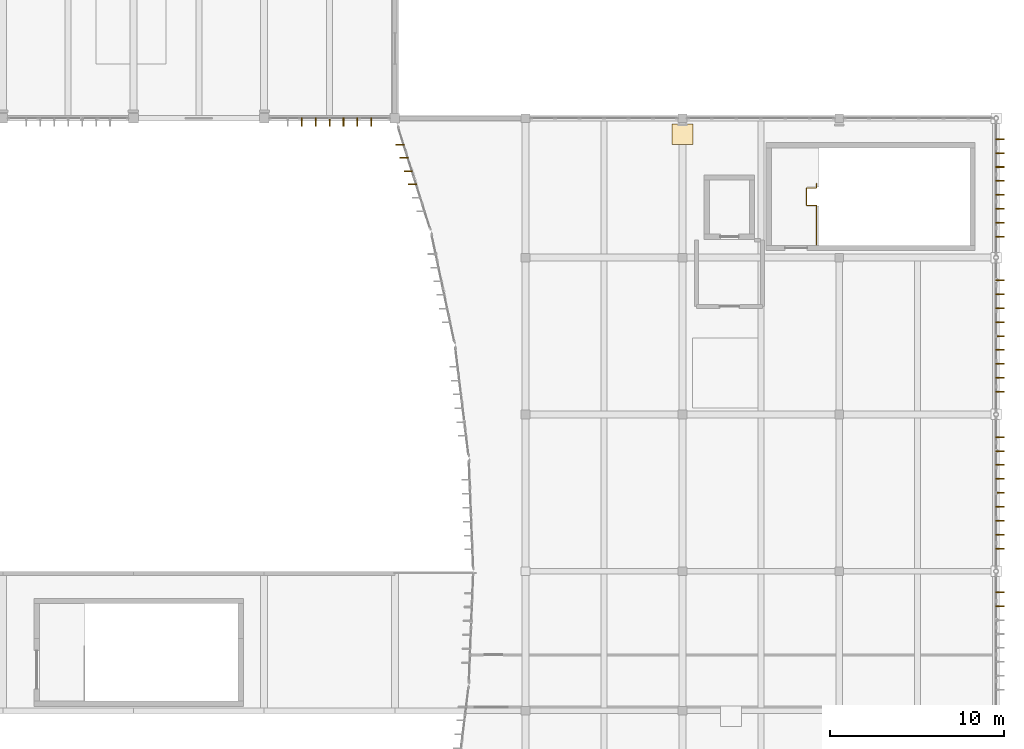
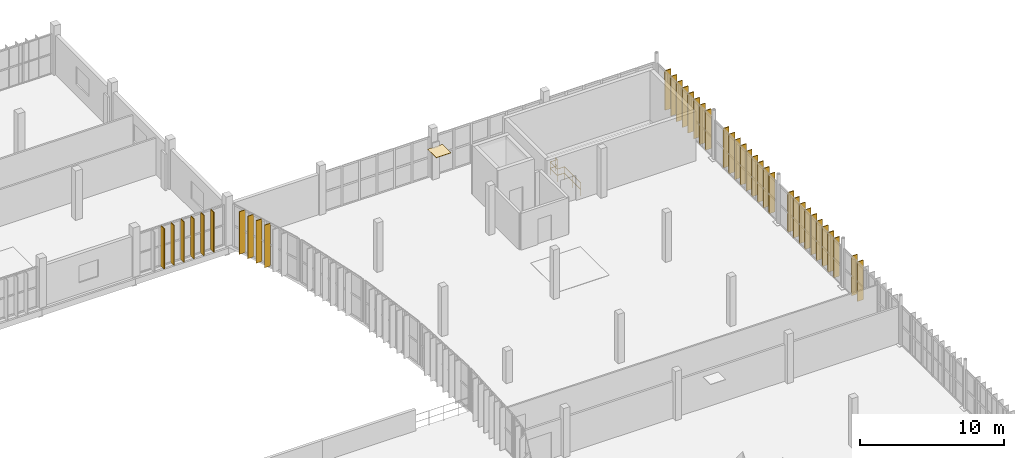
# One storey, part 60 of 61: 38 shading devices, 1 covering, 1 railing.
"""IFC4 building model written with IfcOpenShell, lengths in metres."""

from ifc_helpers import new_model, si_unit, direction, frame, origin, origin_2d, place, context, subcontext, project, spatial, rectangle, circle, extrude, material, layer, layer_set, material_profile, profile_set, type_object, element, save


model = new_model("IFC4")

# Units and contexts
model_context = context("Model", 3, precision=1e-05, world=origin(), true_north=direction((0.0, 1.0)))
body_context = subcontext(model_context, "Body", "Model", "MODEL_VIEW")
ifc_project = project(units=[si_unit("LENGTHUNIT", "METRE"), si_unit("AREAUNIT", "SQUARE_METRE"), si_unit("VOLUMEUNIT", "CUBIC_METRE"), si_unit("PLANEANGLEUNIT", "RADIAN"), si_unit("MASSUNIT", "GRAM", prefix="KILO")], contexts=[model_context])

# Site, building, storey
site_placement = place(None, origin())
site = spatial("IfcSite", under=ifc_project, at=site_placement, CompositionType="ELEMENT")
building_placement = place(site_placement, origin())
building = spatial("IfcBuilding", under=site, at=building_placement, Name="Vourika Railside Aquatics Centre", CompositionType="ELEMENT")
storey_placement = place(building_placement, frame((0.0, 0.0, 9.300048828125)))
storey = spatial("IfcBuildingStorey", under=building, at=storey_placement, Name="L02", CompositionType="ELEMENT", Elevation=9.300048828125)

# Covering
ifc_material_1 = material(Name="Perforated moisture-resistant acoustic gypsum ceiling")
ifc_layer = layer(ifc_material_1, 0.02490234375, Name="COV-CEIL-25")
ifc_layer_set = layer_set([ifc_layer], Name="Perforated moisture-resistant acoustic gypsum ceiling")
covering_type = type_object("IfcCoveringType", Name="COV-CEIL-25", PredefinedType="CEILING", material=ifc_layer_set)
covering_placement = place(storey_placement, frame((150.0, 91.080078125, 2.637451171875), z_axis=(0.0, 0.0, 1.0), x_axis=(1.0, 0.0, 0.0)))
element("IfcCovering", 1, at=covering_placement, inside=storey, type_object=covering_type, Name="Cameroon Aquatics Federation Operations Suite Acoustic Ceiling Panel", PredefinedType="CEILING", context=body_context, shape_type="SweptSolid", body=[
    extrude(rectangle(XDim=1.199951171875, YDim=1.199951171875, at=origin_2d()), origin(), (0.0, 0.0, 1.0), 0.02490234375),
])

# Railing
ifc_material_2 = material(Name="Duplex stainless steel EN 1.4462", Category="steel")
railing_type = type_object("IfcRailingType", Name="RL-STAIR-1120", PredefinedType="BALUSTRADE", material=ifc_material_2)
railing_placement = place(storey_placement, frame((157.699951171875, 84.719970703125, 0.0)))
element("IfcRailing", 2, at=railing_placement, inside=storey, type_object=railing_type, Name="Protected Exit Stair Core ST05 Well Edge Guard (L02)", PredefinedType="BALUSTRADE", context=body_context, shape_type="SweptSolid", body=[
    extrude(circle(Radius=0.02392578125, at=origin_2d()), frame((0.0, 0.0, 1.09619140625), z_axis=(0.0, 1.0, 0.0), x_axis=(-1.0, 0.0, 0.0)), (0.0, 0.0, 1.0), 2.280029296875),
    extrude(circle(Radius=0.02392578125, at=origin_2d()), frame((0.0, 0.0, 0.56005859375), z_axis=(0.0, 1.0, 0.0), x_axis=(-1.0, 0.0, 0.0)), (0.0, 0.0, 1.0), 2.280029296875),
    extrude(circle(Radius=0.02392578125, at=origin_2d()), frame((0.0, 2.280029296875, 1.09619140625), z_axis=(-1.0, 0.0, 0.0), x_axis=(0.0, -1.0, 0.0)), (0.0, 0.0, 1.0), 0.570068359375),
    extrude(circle(Radius=0.02392578125, at=origin_2d()), frame((0.0, 2.280029296875, 0.56005859375), z_axis=(-1.0, 0.0, 0.0), x_axis=(0.0, -1.0, 0.0)), (0.0, 0.0, 1.0), 0.570068359375),
    extrude(circle(Radius=0.02392578125, at=origin_2d()), frame((-0.570068359375, 2.280029296875, 1.09619140625), z_axis=(0.0, 1.0, 0.0), x_axis=(-1.0, 0.0, 0.0)), (0.0, 0.0, 1.0), 1.0),
    extrude(circle(Radius=0.02392578125, at=origin_2d()), frame((-0.570068359375, 2.280029296875, 0.56005859375), z_axis=(0.0, 1.0, 0.0), x_axis=(-1.0, 0.0, 0.0)), (0.0, 0.0, 1.0), 1.0),
    extrude(circle(Radius=0.02392578125, at=origin_2d()), frame((-0.570068359375, 3.280029296875, 1.09619140625), z_axis=(1.0, 0.0, 0.0), x_axis=(0.0, 1.0, 0.0)), (0.0, 0.0, 1.0), 0.570068359375),
    extrude(circle(Radius=0.02392578125, at=origin_2d()), frame((-0.570068359375, 3.280029296875, 0.56005859375), z_axis=(1.0, 0.0, 0.0), x_axis=(0.0, 1.0, 0.0)), (0.0, 0.0, 1.0), 0.570068359375),
    extrude(circle(Radius=0.02392578125, at=origin_2d()), frame((0.0, 3.280029296875, 1.09619140625), z_axis=(0.0, 1.0, 0.0), x_axis=(-1.0, 0.0, 0.0)), (0.0, 0.0, 1.0), 0.25),
    extrude(circle(Radius=0.02392578125, at=origin_2d()), frame((0.0, 3.280029296875, 0.56005859375), z_axis=(0.0, 1.0, 0.0), x_axis=(-1.0, 0.0, 0.0)), (0.0, 0.0, 1.0), 0.25),
    extrude(circle(Radius=0.02099609375, at=origin_2d()), origin(), (0.0, 0.0, 1.0), 1.072021484375),
    extrude(circle(Radius=0.02099609375, at=origin_2d()), frame((0.0, 1.14013671875, 0.0)), (0.0, 0.0, 1.0), 1.072021484375),
    extrude(circle(Radius=0.02099609375, at=origin_2d()), frame((0.0, 2.280029296875, 0.0)), (0.0, 0.0, 1.0), 1.072021484375),
    extrude(circle(Radius=0.02099609375, at=origin_2d()), frame((-0.570068359375, 2.280029296875, 0.0)), (0.0, 0.0, 1.0), 1.072021484375),
    extrude(circle(Radius=0.02099609375, at=origin_2d()), frame((-0.570068359375, 3.280029296875, 0.0)), (0.0, 0.0, 1.0), 1.072021484375),
    extrude(circle(Radius=0.02099609375, at=origin_2d()), frame((0.0, 3.280029296875, 0.0)), (0.0, 0.0, 1.0), 1.072021484375),
    extrude(circle(Radius=0.02099609375, at=origin_2d()), frame((0.0, 3.530029296875, 0.0)), (0.0, 0.0, 1.0), 1.072021484375),
])

# Shading devices
ifc_material_3 = material(Name="Bronze-anodized extruded aluminium", Category="aluminium")
ifc_material_profile = material_profile(ifc_material_3, rectangle(XDim=0.06005859375, YDim=0.47998046875, at=origin_2d()), Name="ALU-FIN 60x480")
ifc_profile_set = profile_set([ifc_material_profile], Name="Bronze-anodized extruded aluminium")
shading_device_type = type_object("IfcShadingDeviceType", Name="SHD-FIN-F48A", PredefinedType="USERDEFINED", material=ifc_profile_set)
for number, where, z_axis, x_axis, name in (
    (3, (134.509521484375, 88.198486328125, 0.0), (0.0, 0.0, 1.0), (0.0, 1.0, 0.0), "Vertical Solar Fin VSF-0544"),
    (4, (134.26953125, 88.961669921875, 0.0), (0.0, 0.0, 1.0), (0.0, 1.0, 0.0), "Vertical Solar Fin VSF-0545"),
    (5, (134.029541015625, 89.724609375, 0.0), (0.0, 0.0, 1.0), (0.0, 1.0, 0.0), "Vertical Solar Fin VSF-0546"),
    (6, (133.78955078125, 90.48779296875, 0.0), (0.0, 0.0, 1.0), (0.0, 1.0, 0.0), "Vertical Solar Fin VSF-0547"),
):
    element("IfcShadingDevice", number, at=place(storey_placement, frame(where, z_axis=z_axis, x_axis=x_axis)), inside=storey, type_object=shading_device_type, Name=name, ObjectType="FIN", PredefinedType="USERDEFINED", context=body_context, shape_type="SweptSolid", body=[
        extrude(rectangle(XDim=0.06005859375, YDim=0.47998046875, at=origin_2d()), origin(), (0.0, 0.0, 1.0), 3.619873046875),
    ])
for number, where, z_axis, x_axis, name in (
    (7, (168.215087890625, 64.0, 0.0), (0.0, 0.0, 1.0), (0.0, -1.0, 0.0), "Vertical Solar Fin VSF-0572"),
    (8, (168.215087890625, 64.800048828125, 0.0), (0.0, 0.0, 1.0), (0.0, -1.0, 0.0), "Vertical Solar Fin VSF-0573"),
    (9, (168.215087890625, 67.300048828125, 0.0), (0.0, 0.0, 1.0), (0.0, -1.0, 0.0), "Vertical Solar Fin VSF-0574"),
    (10, (168.215087890625, 68.10009765625, 0.0), (0.0, 0.0, 1.0), (0.0, -1.0, 0.0), "Vertical Solar Fin VSF-0575"),
    (11, (168.215087890625, 68.89990234375, 0.0), (0.0, 0.0, 1.0), (0.0, -1.0, 0.0), "Vertical Solar Fin VSF-0576"),
    (12, (168.215087890625, 69.699951171875, 0.0), (0.0, 0.0, 1.0), (0.0, -1.0, 0.0), "Vertical Solar Fin VSF-0577"),
    (13, (168.215087890625, 70.5, 0.0), (0.0, 0.0, 1.0), (0.0, -1.0, 0.0), "Vertical Solar Fin VSF-0578"),
    (14, (168.215087890625, 71.300048828125, 0.0), (0.0, 0.0, 1.0), (0.0, -1.0, 0.0), "Vertical Solar Fin VSF-0579"),
    (15, (168.215087890625, 72.10009765625, 0.0), (0.0, 0.0, 1.0), (0.0, -1.0, 0.0), "Vertical Solar Fin VSF-0580"),
    (16, (168.215087890625, 72.89990234375, 0.0), (0.0, 0.0, 1.0), (0.0, -1.0, 0.0), "Vertical Solar Fin VSF-0581"),
    (17, (168.215087890625, 73.699951171875, 0.0), (0.0, 0.0, 1.0), (0.0, -1.0, 0.0), "Vertical Solar Fin VSF-0582"),
    (18, (168.215087890625, 76.300048828125, 0.0), (0.0, 0.0, 1.0), (0.0, -1.0, 0.0), "Vertical Solar Fin VSF-0583"),
    (19, (168.215087890625, 77.10009765625, 0.0), (0.0, 0.0, 1.0), (0.0, -1.0, 0.0), "Vertical Solar Fin VSF-0584"),
    (20, (168.215087890625, 77.89990234375, 0.0), (0.0, 0.0, 1.0), (0.0, -1.0, 0.0), "Vertical Solar Fin VSF-0585"),
    (21, (168.215087890625, 78.699951171875, 0.0), (0.0, 0.0, 1.0), (0.0, -1.0, 0.0), "Vertical Solar Fin VSF-0586"),
    (22, (168.215087890625, 79.5, 0.0), (0.0, 0.0, 1.0), (0.0, -1.0, 0.0), "Vertical Solar Fin VSF-0587"),
    (23, (168.215087890625, 80.300048828125, 0.0), (0.0, 0.0, 1.0), (0.0, -1.0, 0.0), "Vertical Solar Fin VSF-0588"),
    (24, (168.215087890625, 81.10009765625, 0.0), (0.0, 0.0, 1.0), (0.0, -1.0, 0.0), "Vertical Solar Fin VSF-0589"),
    (25, (168.215087890625, 81.89990234375, 0.0), (0.0, 0.0, 1.0), (0.0, -1.0, 0.0), "Vertical Solar Fin VSF-0590"),
    (26, (168.215087890625, 82.699951171875, 0.0), (0.0, 0.0, 1.0), (0.0, -1.0, 0.0), "Vertical Solar Fin VSF-0591"),
    (27, (168.215087890625, 85.199951171875, 0.0), (0.0, 0.0, 1.0), (0.0, -1.0, 0.0), "Vertical Solar Fin VSF-0592"),
    (28, (168.215087890625, 86.0, 0.0), (0.0, 0.0, 1.0), (0.0, -1.0, 0.0), "Vertical Solar Fin VSF-0593"),
    (29, (168.215087890625, 86.800048828125, 0.0), (0.0, 0.0, 1.0), (0.0, -1.0, 0.0), "Vertical Solar Fin VSF-0594"),
    (30, (168.215087890625, 87.60009765625, 0.0), (0.0, 0.0, 1.0), (0.0, -1.0, 0.0), "Vertical Solar Fin VSF-0595"),
    (31, (168.215087890625, 88.39990234375, 0.0), (0.0, 0.0, 1.0), (0.0, -1.0, 0.0), "Vertical Solar Fin VSF-0596"),
    (32, (168.215087890625, 89.199951171875, 0.0), (0.0, 0.0, 1.0), (0.0, -1.0, 0.0), "Vertical Solar Fin VSF-0597"),
    (33, (168.215087890625, 90.0, 0.0), (0.0, 0.0, 1.0), (0.0, -1.0, 0.0), "Vertical Solar Fin VSF-0598"),
    (34, (168.215087890625, 90.800048828125, 0.0), (0.0, 0.0, 1.0), (0.0, -1.0, 0.0), "Vertical Solar Fin VSF-0599"),
):
    element("IfcShadingDevice", number, at=place(storey_placement, frame(where, z_axis=z_axis, x_axis=x_axis)), inside=storey, type_object=shading_device_type, Name=name, ObjectType="FIN", PredefinedType="USERDEFINED", context=body_context, shape_type="SweptSolid", body=[
        extrude(rectangle(XDim=0.06005859375, YDim=0.47998046875, at=origin_2d()), origin(), (0.0, 0.0, 1.0), 3.369873046875),
    ])
for number, where, z_axis, x_axis, name in (
    (35, (128.14990234375, 91.784912109375, 0.0), (0.0, 0.0, 1.0), (-1.0, 0.0, 0.0), "Vertical Solar Fin VSF-0965"),
    (36, (128.949951171875, 91.784912109375, 0.0), (0.0, 0.0, 1.0), (-1.0, 0.0, 0.0), "Vertical Solar Fin VSF-0966"),
    (37, (129.75, 91.784912109375, 0.0), (0.0, 0.0, 1.0), (-1.0, 0.0, 0.0), "Vertical Solar Fin VSF-0967"),
    (38, (130.550048828125, 91.784912109375, 0.0), (0.0, 0.0, 1.0), (-1.0, 0.0, 0.0), "Vertical Solar Fin VSF-0968"),
    (39, (131.35009765625, 91.784912109375, 0.0), (0.0, 0.0, 1.0), (-1.0, 0.0, 0.0), "Vertical Solar Fin VSF-0969"),
    (40, (132.14990234375, 91.784912109375, 0.0), (0.0, 0.0, 1.0), (-1.0, 0.0, 0.0), "Vertical Solar Fin VSF-0970"),
):
    element("IfcShadingDevice", number, at=place(storey_placement, frame(where, z_axis=z_axis, x_axis=x_axis)), inside=storey, type_object=shading_device_type, Name=name, ObjectType="FIN", PredefinedType="USERDEFINED", context=body_context, shape_type="SweptSolid", body=[
        extrude(rectangle(XDim=0.06005859375, YDim=0.47998046875, at=origin_2d()), origin(), (0.0, 0.0, 1.0), 3.409912109375),
    ])

save(model, "model.ifc")
